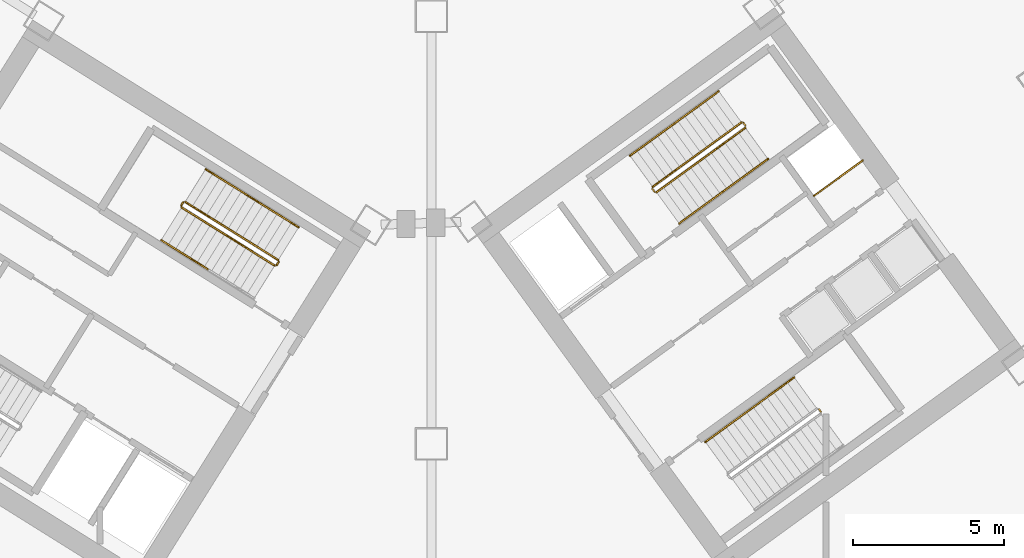
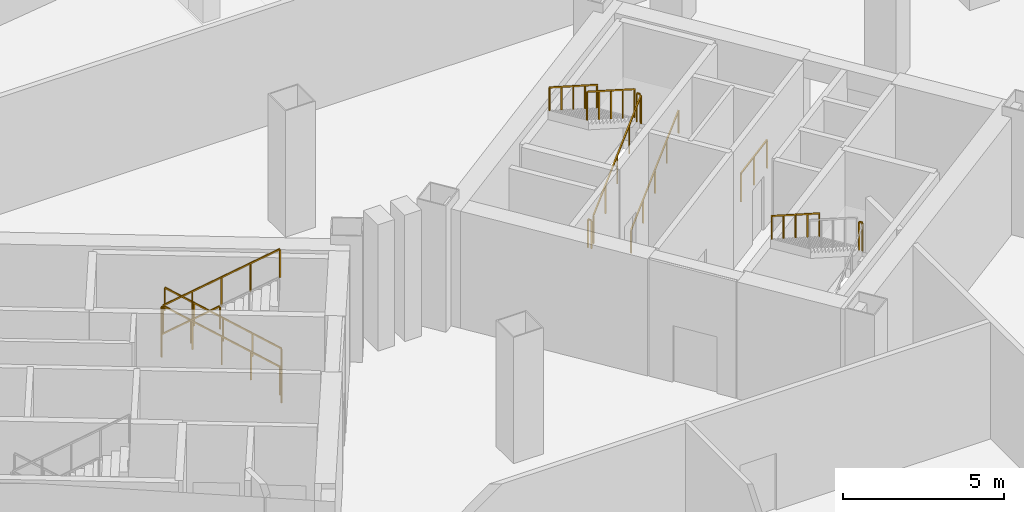
# One storey, part 8 of 9: 19 railings.
"""IFC4 building model written with IfcOpenShell, lengths in metres."""

from ifc_helpers import new_model, si_unit, direction, frame, origin, origin_2d, place, context, subcontext, project, spatial, rectangle, extrude, source, transform, mapped, material, type_object, element, save


model = new_model("IFC4")

# Units and contexts
model_context = context("Model", 3, precision=1e-05, world=origin(), true_north=direction((0.0, 1.0)))
body_context = subcontext(model_context, "Body", "Model", "MODEL_VIEW")
ifc_project = project(units=[si_unit("LENGTHUNIT", "METRE"), si_unit("AREAUNIT", "SQUARE_METRE"), si_unit("VOLUMEUNIT", "CUBIC_METRE"), si_unit("PLANEANGLEUNIT", "RADIAN"), si_unit("MASSUNIT", "GRAM", prefix="KILO")], contexts=[model_context])

# Site, building, storey
site_placement = place(None, origin())
site = spatial("IfcSite", under=ifc_project, at=site_placement, CompositionType="ELEMENT")
building_placement = place(site_placement, origin())
building = spatial("IfcBuilding", under=site, at=building_placement, Name="Tlacorven Tower", CompositionType="ELEMENT")
storey_placement = place(building_placement, frame((0.0, 0.0, -4.800048828125)))
storey = spatial("IfcBuildingStorey", under=building, at=storey_placement, Name="B1", CompositionType="ELEMENT", Elevation=-4.800048828125)

# Railings
ifc_material = material(Name="Aluminium and painted steel balustrade", Category="steel")
railing_type_1 = type_object("IfcRailingType", Name="RL-GRD-1100", PredefinedType="GUARDRAIL", material=ifc_material)
shared_shape_1 = source(origin(), body_context, "Body", "SweptSolid", [
    extrude(rectangle(XDim=0.048095703125, YDim=0.048095703125, at=origin_2d()), frame((0.0, 0.0, 1.076171875), z_axis=(0.808947177504, 0.587881334972, 0.0), x_axis=(-0.587881334972, 0.808947177504, 0.0)), (0.0, 0.0, 1.0), 2.0),
    extrude(rectangle(XDim=0.0419921875, YDim=0.0419921875, at=origin_2d()), origin(), (0.0, 0.0, 1.0), 1.052001953125),
    extrude(rectangle(XDim=0.0419921875, YDim=0.0419921875, at=origin_2d()), frame((0.80908203125, 0.587890625, 0.0)), (0.0, 0.0, 1.0), 1.052001953125),
    extrude(rectangle(XDim=0.0419921875, YDim=0.0419921875, at=origin_2d()), frame((1.617919921875, 1.17578125, 0.0)), (0.0, 0.0, 1.0), 1.052001953125),
])
railing_1_placement = place(storey_placement, frame((55.506103515625, 25.438232421875, 0.0)))
element("IfcRailing", 1, at=railing_1_placement, inside=storey, type_object=railing_type_1, Name="B1 Electrical Riser E Shaft Guard 1", PredefinedType="GUARDRAIL", context=body_context, shape_type="MappedRepresentation", body=[
    mapped(shared_shape_1, transform((0.0, 0.0, 0.0), scale=1.0)),
])
railing_type_2 = type_object("IfcRailingType", Name="RL-HND-0900", PredefinedType="HANDRAIL", material=ifc_material)
shared_shape_2 = source(origin(), body_context, "Body", "SweptSolid", [
    extrude(rectangle(XDim=0.048095703125, YDim=0.048095703125, at=origin_2d()), frame((0.0, 0.0, 0.8759765625), z_axis=(-0.723280932889, 0.45190757433, 0.522153460567), x_axis=(-0.529878353595, -0.848073658589, 0.0)), (0.0, 0.0, 1.0), 2.134033203125),
    extrude(rectangle(XDim=0.0419921875, YDim=0.0419921875, at=origin_2d()), origin(), (0.0, 0.0, 1.0), 0.851806640625),
    extrude(rectangle(XDim=0.0419921875, YDim=0.0419921875, at=origin_2d()), frame((-0.771728515625, 0.482177734375, 0.55712890625)), (0.0, 0.0, 1.0), 0.851806640625),
    extrude(rectangle(XDim=0.0419921875, YDim=0.0419921875, at=origin_2d()), frame((-1.54345703125, 0.96435546875, 1.1142578125)), (0.0, 0.0, 1.0), 0.851806640625),
])
railing_2_placement = place(storey_placement, frame((38.390625, 24.39501953125, 0.17138671875)))
element("IfcRailing", 2, at=railing_2_placement, inside=storey, type_object=railing_type_2, Name="B1 ST-W2 stair handrail 1", PredefinedType="HANDRAIL", context=body_context, shape_type="MappedRepresentation", body=[
    mapped(shared_shape_2, transform((0.0, 0.0, 0.0), scale=1.0)),
])
shared_shape_3 = source(origin(), body_context, "Body", "SweptSolid", [
    extrude(rectangle(XDim=0.048095703125, YDim=0.048095703125, at=origin_2d()), frame((0.0, 0.0, 0.8759765625), z_axis=(0.723280932889, -0.45190757433, 0.522153460567), x_axis=(0.529878353595, 0.848073658589, 0.0)), (0.0, 0.0, 1.0), 2.134033203125),
    extrude(rectangle(XDim=0.0419921875, YDim=0.0419921875, at=origin_2d()), origin(), (0.0, 0.0, 1.0), 0.851806640625),
    extrude(rectangle(XDim=0.0419921875, YDim=0.0419921875, at=origin_2d()), frame((0.771728515625, -0.482177734375, 0.55712890625)), (0.0, 0.0, 1.0), 0.851806640625),
    extrude(rectangle(XDim=0.0419921875, YDim=0.0419921875, at=origin_2d()), frame((1.54345703125, -0.96435546875, 1.1142578125)), (0.0, 0.0, 1.0), 0.851806640625),
])
railing_3_placement = place(storey_placement, frame((33.83056640625, 23.96630859375, 2.571533203125)))
element("IfcRailing", 3, at=railing_3_placement, inside=storey, type_object=railing_type_2, Name="B1 ST-W2 stair handrail 3", PredefinedType="HANDRAIL", context=body_context, shape_type="MappedRepresentation", body=[
    mapped(shared_shape_3, transform((0.0, 0.0, 0.0), scale=1.0)),
])
shared_shape_4 = source(origin(), body_context, "Body", "SweptSolid", [
    extrude(rectangle(XDim=0.048095703125, YDim=0.048095703125, at=origin_2d()), frame((0.0, 0.0, 1.076171875), z_axis=(-0.723240632901, 0.451939595108, 0.522181567364), x_axis=(-0.529926592015, -0.848043517206, 0.0)), (0.0, 0.0, 1.0), 4.26806640625),
    extrude(rectangle(XDim=0.0419921875, YDim=0.0419921875, at=origin_2d()), origin(), (0.0, 0.0, 1.0), 1.052001953125),
    extrude(rectangle(XDim=0.0419921875, YDim=0.0419921875, at=origin_2d()), frame((-0.771728515625, 0.482177734375, 0.55712890625)), (0.0, 0.0, 1.0), 1.052001953125),
    extrude(rectangle(XDim=0.0419921875, YDim=0.0419921875, at=origin_2d()), frame((-1.54345703125, 0.96435546875, 1.1142578125)), (0.0, 0.0, 1.0), 1.052001953125),
    extrude(rectangle(XDim=0.0419921875, YDim=0.0419921875, at=origin_2d()), frame((-2.315185546875, 1.44677734375, 1.671630859375)), (0.0, 0.0, 1.0), 1.052001953125),
    extrude(rectangle(XDim=0.0419921875, YDim=0.0419921875, at=origin_2d()), frame((-3.0869140625, 1.928955078125, 2.228759765625)), (0.0, 0.0, 1.0), 1.052001953125),
])
railing_4_placement = place(storey_placement, frame((37.712158203125, 23.3095703125, 0.17138671875)))
element("IfcRailing", 4, at=railing_4_placement, inside=storey, type_object=railing_type_1, Name="B1 ST-W2 stair guard 1", PredefinedType="GUARDRAIL", context=body_context, shape_type="MappedRepresentation", body=[
    mapped(shared_shape_4, transform((0.0, 0.0, 0.0), scale=1.0)),
])
shared_shape_5 = source(origin(), body_context, "Body", "SweptSolid", [
    extrude(rectangle(XDim=0.048095703125, YDim=0.048095703125, at=origin_2d()), frame((0.0, 0.0, 1.076171875), z_axis=(-0.530546985787, -0.847655529016, 0.0), x_axis=(0.847655529016, -0.530546985787, 0.0)), (0.0, 0.0, 1.0), 0.1201171875),
    extrude(rectangle(XDim=0.0419921875, YDim=0.0419921875, at=origin_2d()), origin(), (0.0, 0.0, 1.0), 1.052001953125),
    extrude(rectangle(XDim=0.0419921875, YDim=0.0419921875, at=origin_2d()), frame((-0.063720703125, -0.101806640625, 0.0)), (0.0, 0.0, 1.0), 1.052001953125),
])
railing_5_placement = place(storey_placement, frame((37.728271484375, 23.24072265625, 0.0)))
element("IfcRailing", 5, at=railing_5_placement, inside=storey, type_object=railing_type_1, Name="B1 ST-W2 stair guard 4", PredefinedType="GUARDRAIL", context=body_context, shape_type="MappedRepresentation", body=[
    mapped(shared_shape_5, transform((0.0, 0.0, 0.0), scale=1.0)),
])
shared_shape_6 = source(origin(), body_context, "Body", "SweptSolid", [
    extrude(rectangle(XDim=0.048095703125, YDim=0.048095703125, at=origin_2d()), frame((0.0, 0.0, 1.076171875), z_axis=(-0.529998940003, -0.847998304005, 0.0), x_axis=(0.847998304005, -0.529998940003, 0.0)), (0.0, 0.0, 1.0), 0.119873046875),
    extrude(rectangle(XDim=0.0419921875, YDim=0.0419921875, at=origin_2d()), origin(), (0.0, 0.0, 1.0), 1.052001953125),
    extrude(rectangle(XDim=0.0419921875, YDim=0.0419921875, at=origin_2d()), frame((-0.0634765625, -0.1015625, 0.0)), (0.0, 0.0, 1.0), 1.052001953125),
])
railing_6_placement = place(storey_placement, frame((34.556396484375, 25.222412109375, 2.400146484375)))
element("IfcRailing", 6, at=railing_6_placement, inside=storey, type_object=railing_type_1, Name="B1 ST-W2 stair guard 2", PredefinedType="GUARDRAIL", context=body_context, shape_type="MappedRepresentation", body=[
    mapped(shared_shape_6, transform((0.0, 0.0, 0.0), scale=1.0)),
])
shared_shape_7 = source(origin(), body_context, "Body", "SweptSolid", [
    extrude(rectangle(XDim=0.048095703125, YDim=0.048095703125, at=origin_2d()), frame((0.0, 0.0, 1.076171875), z_axis=(0.723280932889, -0.45190757433, 0.522153460567), x_axis=(0.529878353595, 0.848073658589, 0.0)), (0.0, 0.0, 1.0), 4.267822265625),
    extrude(rectangle(XDim=0.0419921875, YDim=0.0419921875, at=origin_2d()), origin(), (0.0, 0.0, 1.0), 1.052001953125),
    extrude(rectangle(XDim=0.0419921875, YDim=0.0419921875, at=origin_2d()), frame((0.771728515625, -0.482177734375, 0.55712890625)), (0.0, 0.0, 1.0), 1.052001953125),
    extrude(rectangle(XDim=0.0419921875, YDim=0.0419921875, at=origin_2d()), frame((1.54345703125, -0.96435546875, 1.1142578125)), (0.0, 0.0, 1.0), 1.052001953125),
    extrude(rectangle(XDim=0.0419921875, YDim=0.0419921875, at=origin_2d()), frame((2.315185546875, -1.446533203125, 1.67138671875)), (0.0, 0.0, 1.0), 1.052001953125),
    extrude(rectangle(XDim=0.0419921875, YDim=0.0419921875, at=origin_2d()), frame((3.0869140625, -1.9287109375, 2.228515625)), (0.0, 0.0, 1.0), 1.052001953125),
])
railing_7_placement = place(storey_placement, frame((34.5087890625, 25.0517578125, 2.571533203125)))
element("IfcRailing", 7, at=railing_7_placement, inside=storey, type_object=railing_type_1, Name="B1 ST-W2 stair guard 3", PredefinedType="GUARDRAIL", context=body_context, shape_type="MappedRepresentation", body=[
    mapped(shared_shape_7, transform((0.0, 0.0, 0.0), scale=1.0)),
])
shared_shape_8 = source(origin(), body_context, "Body", "SweptSolid", [
    extrude(rectangle(XDim=0.048095703125, YDim=0.048095703125, at=origin_2d()), frame((0.0, 0.0, 0.8759765625), z_axis=(-0.723200334916, 0.451971610764, 0.522209669233), x_axis=(-0.529974825293, -0.848013375222, 0.0)), (0.0, 0.0, 1.0), 2.13427734375),
    extrude(rectangle(XDim=0.0419921875, YDim=0.0419921875, at=origin_2d()), origin(), (0.0, 0.0, 1.0), 0.851806640625),
    extrude(rectangle(XDim=0.0419921875, YDim=0.0419921875, at=origin_2d()), frame((-0.771728515625, 0.482421875, 0.55712890625)), (0.0, 0.0, 1.0), 0.851806640625),
    extrude(rectangle(XDim=0.0419921875, YDim=0.0419921875, at=origin_2d()), frame((-1.54345703125, 0.964599609375, 1.114501953125)), (0.0, 0.0, 1.0), 0.851806640625),
])
railing_8_placement = place(storey_placement, frame((36.84716796875, 25.359375, 1.28564453125)))
element("IfcRailing", 8, at=railing_8_placement, inside=storey, type_object=railing_type_2, Name="B1 ST-W2 stair handrail 2", PredefinedType="HANDRAIL", context=body_context, shape_type="MappedRepresentation", body=[
    mapped(shared_shape_8, transform((0.0, 0.0, 0.0), scale=1.0)),
])
shared_shape_9 = source(origin(), body_context, "Body", "SweptSolid", [
    extrude(rectangle(XDim=0.048095703125, YDim=0.048095703125, at=origin_2d()), frame((0.0, 0.0, 1.076171875), z_axis=(-0.587567097037, 0.809175448515, 0.0), x_axis=(-0.809175448515, -0.587567097037, 0.0)), (0.0, 0.0, 1.0), 0.1201171875),
    extrude(rectangle(XDim=0.0419921875, YDim=0.0419921875, at=origin_2d()), origin(), (0.0, 0.0, 1.0), 1.052001953125),
    extrude(rectangle(XDim=0.0419921875, YDim=0.0419921875, at=origin_2d()), frame((-0.070556640625, 0.09716796875, 0.0)), (0.0, 0.0, 1.0), 1.052001953125),
])
for number, where, name in (
    (9, (53.233154296875, 27.76708984375, 2.400146484375), "B1 ST-E1 stair guard 2"),
    (10, (55.737060546875, 18.263916015625, 2.400146484375), "B1 ST-E2 stair guard 2"),
):
    element("IfcRailing", number, at=place(storey_placement, frame(where)), inside=storey, type_object=railing_type_1, Name=name, PredefinedType="GUARDRAIL", context=body_context, shape_type="MappedRepresentation", body=[
        mapped(shared_shape_9, transform((0.0, 0.0, 0.0), scale=1.0)),
    ])
shared_shape_10 = source(origin(), body_context, "Body", "SweptSolid", [
    extrude(rectangle(XDim=0.048095703125, YDim=0.048095703125, at=origin_2d()), frame((0.0, 0.0, 1.076171875), z_axis=(-0.689987059858, -0.501273139242, 0.522152369623), x_axis=(0.587760844897, -0.809034726823, 0.0)), (0.0, 0.0, 1.0), 4.267822265625),
    extrude(rectangle(XDim=0.0419921875, YDim=0.0419921875, at=origin_2d()), origin(), (0.0, 0.0, 1.0), 1.052001953125),
    extrude(rectangle(XDim=0.0419921875, YDim=0.0419921875, at=origin_2d()), frame((-0.736328125, -0.534912109375, 0.55712890625)), (0.0, 0.0, 1.0), 1.052001953125),
    extrude(rectangle(XDim=0.0419921875, YDim=0.0419921875, at=origin_2d()), frame((-1.472412109375, -1.06982421875, 1.1142578125)), (0.0, 0.0, 1.0), 1.052001953125),
    extrude(rectangle(XDim=0.0419921875, YDim=0.0419921875, at=origin_2d()), frame((-2.20849609375, -1.6044921875, 1.67138671875)), (0.0, 0.0, 1.0), 1.052001953125),
    extrude(rectangle(XDim=0.0419921875, YDim=0.0419921875, at=origin_2d()), frame((-2.94482421875, -2.139404296875, 2.228515625)), (0.0, 0.0, 1.0), 1.052001953125),
])
railing_9_placement = place(storey_placement, frame((53.0927734375, 27.875244140625, 2.571533203125)))
element("IfcRailing", 11, at=railing_9_placement, inside=storey, type_object=railing_type_1, Name="B1 ST-E1 stair guard 3", PredefinedType="GUARDRAIL", context=body_context, shape_type="MappedRepresentation", body=[
    mapped(shared_shape_10, transform((0.0, 0.0, 0.0), scale=1.0)),
])
shared_shape_11 = source(origin(), body_context, "Body", "SweptSolid", [
    extrude(rectangle(XDim=0.048095703125, YDim=0.048095703125, at=origin_2d()), frame((0.0, 0.0, 1.076171875), z_axis=(-0.587201422542, 0.809440849824, 0.0), x_axis=(-0.809440849824, -0.587201422542, 0.0)), (0.0, 0.0, 1.0), 0.11962890625),
    extrude(rectangle(XDim=0.0419921875, YDim=0.0419921875, at=origin_2d()), origin(), (0.0, 0.0, 1.0), 1.052001953125),
    extrude(rectangle(XDim=0.0419921875, YDim=0.0419921875, at=origin_2d()), frame((-0.0703125, 0.096923828125, 0.0)), (0.0, 0.0, 1.0), 1.052001953125),
])
railing_10_placement = place(storey_placement, frame((50.207275390625, 25.56884765625, 0.0)))
element("IfcRailing", 12, at=railing_10_placement, inside=storey, type_object=railing_type_1, Name="B1 ST-E1 stair guard 4", PredefinedType="GUARDRAIL", context=body_context, shape_type="MappedRepresentation", body=[
    mapped(shared_shape_11, transform((0.0, 0.0, 0.0), scale=1.0)),
])
shared_shape_12 = source(origin(), body_context, "Body", "SweptSolid", [
    extrude(rectangle(XDim=0.048095703125, YDim=0.048095703125, at=origin_2d()), frame((0.0, 0.0, 0.8759765625), z_axis=(0.689967274537, 0.501315967008, 0.522137396947), x_axis=(-0.587804744085, 0.8090028324, 0.0)), (0.0, 0.0, 1.0), 2.134033203125),
    extrude(rectangle(XDim=0.0419921875, YDim=0.0419921875, at=origin_2d()), origin(), (0.0, 0.0, 1.0), 0.851806640625),
    extrude(rectangle(XDim=0.0419921875, YDim=0.0419921875, at=origin_2d()), frame((0.736328125, 0.534912109375, 0.55712890625)), (0.0, 0.0, 1.0), 0.851806640625),
    extrude(rectangle(XDim=0.0419921875, YDim=0.0419921875, at=origin_2d()), frame((1.472412109375, 1.06982421875, 1.1142578125)), (0.0, 0.0, 1.0), 0.851806640625),
])
railing_11_placement = place(storey_placement, frame((51.029541015625, 24.522216796875, 0.17138671875)))
element("IfcRailing", 13, at=railing_11_placement, inside=storey, type_object=railing_type_2, Name="B1 ST-E1 stair handrail 1", PredefinedType="HANDRAIL", context=body_context, shape_type="MappedRepresentation", body=[
    mapped(shared_shape_12, transform((0.0, 0.0, 0.0), scale=1.0)),
])
shared_shape_13 = source(origin(), body_context, "Body", "SweptSolid", [
    extrude(rectangle(XDim=0.048095703125, YDim=0.048095703125, at=origin_2d()), frame((0.0, 0.0, 0.8759765625), z_axis=(-0.689967274537, -0.501315967008, 0.522137396947), x_axis=(0.587804744085, -0.8090028324, 0.0)), (0.0, 0.0, 1.0), 2.134033203125),
    extrude(rectangle(XDim=0.0419921875, YDim=0.0419921875, at=origin_2d()), origin(), (0.0, 0.0, 1.0), 0.851806640625),
    extrude(rectangle(XDim=0.0419921875, YDim=0.0419921875, at=origin_2d()), frame((-0.736328125, -0.534912109375, 0.55712890625)), (0.0, 0.0, 1.0), 0.851806640625),
    extrude(rectangle(XDim=0.0419921875, YDim=0.0419921875, at=origin_2d()), frame((-1.472412109375, -1.06982421875, 1.1142578125)), (0.0, 0.0, 1.0), 0.851806640625),
])
for number, where, name in (
    (14, (52.34033203125, 28.910888671875, 2.571533203125), "B1 ST-E1 stair handrail 3"),
    (15, (50.867919921875, 27.841064453125, 3.685791015625), "B1 ST-E1 stair handrail 4"),
    (16, (54.844482421875, 19.40771484375, 2.571533203125), "B1 ST-E2 stair handrail 3"),
    (17, (53.3720703125, 18.337890625, 3.685791015625), "B1 ST-E2 stair handrail 4"),
):
    element("IfcRailing", number, at=place(storey_placement, frame(where)), inside=storey, type_object=railing_type_2, Name=name, PredefinedType="HANDRAIL", context=body_context, shape_type="MappedRepresentation", body=[
        mapped(shared_shape_13, transform((0.0, 0.0, 0.0), scale=1.0)),
    ])
shared_shape_14 = source(origin(), body_context, "Body", "SweptSolid", [
    extrude(rectangle(XDim=0.048095703125, YDim=0.048095703125, at=origin_2d()), frame((0.0, 0.0, 1.076171875), z_axis=(0.689936478142, 0.501277950249, 0.522214584939), x_axis=(-0.587792740661, 0.809011553704, 0.0)), (0.0, 0.0, 1.0), 4.267822265625),
    extrude(rectangle(XDim=0.0419921875, YDim=0.0419921875, at=origin_2d()), origin(), (0.0, 0.0, 1.0), 1.052001953125),
    extrude(rectangle(XDim=0.0419921875, YDim=0.0419921875, at=origin_2d()), frame((0.736083984375, 0.534912109375, 0.55712890625)), (0.0, 0.0, 1.0), 1.052001953125),
    extrude(rectangle(XDim=0.0419921875, YDim=0.0419921875, at=origin_2d()), frame((1.47216796875, 1.06982421875, 1.1142578125)), (0.0, 0.0, 1.0), 1.052001953125),
    extrude(rectangle(XDim=0.0419921875, YDim=0.0419921875, at=origin_2d()), frame((2.20849609375, 1.6044921875, 1.671630859375)), (0.0, 0.0, 1.0), 1.052001953125),
    extrude(rectangle(XDim=0.0419921875, YDim=0.0419921875, at=origin_2d()), frame((2.944580078125, 2.139404296875, 2.228759765625)), (0.0, 0.0, 1.0), 1.052001953125),
])
railing_12_placement = place(storey_placement, frame((50.27734375, 25.557861328125, 0.17138671875)))
element("IfcRailing", 18, at=railing_12_placement, inside=storey, type_object=railing_type_1, Name="B1 ST-E1 stair guard 1", PredefinedType="GUARDRAIL", context=body_context, shape_type="MappedRepresentation", body=[
    mapped(shared_shape_14, transform((0.0, 0.0, 0.0), scale=1.0)),
])
shared_shape_15 = source(origin(), body_context, "Body", "SweptSolid", [
    extrude(rectangle(XDim=0.048095703125, YDim=0.048095703125, at=origin_2d()), frame((0.0, 0.0, 0.8759765625), z_axis=(0.689965621981, 0.501200363107, 0.522250549551), x_axis=(-0.587716940517, 0.809066621379, 0.0)), (0.0, 0.0, 1.0), 2.134033203125),
    extrude(rectangle(XDim=0.0419921875, YDim=0.0419921875, at=origin_2d()), origin(), (0.0, 0.0, 1.0), 0.851806640625),
    extrude(rectangle(XDim=0.0419921875, YDim=0.0419921875, at=origin_2d()), frame((0.736328125, 0.53466796875, 0.55712890625)), (0.0, 0.0, 1.0), 0.851806640625),
    extrude(rectangle(XDim=0.0419921875, YDim=0.0419921875, at=origin_2d()), frame((1.472412109375, 1.069580078125, 1.114501953125)), (0.0, 0.0, 1.0), 0.851806640625),
])
railing_13_placement = place(storey_placement, frame((52.501953125, 25.592041015625, 1.28564453125)))
element("IfcRailing", 19, at=railing_13_placement, inside=storey, type_object=railing_type_2, Name="B1 ST-E1 stair handrail 2", PredefinedType="HANDRAIL", context=body_context, shape_type="MappedRepresentation", body=[
    mapped(shared_shape_15, transform((0.0, 0.0, 0.0), scale=1.0)),
])

save(model, "model.ifc")
